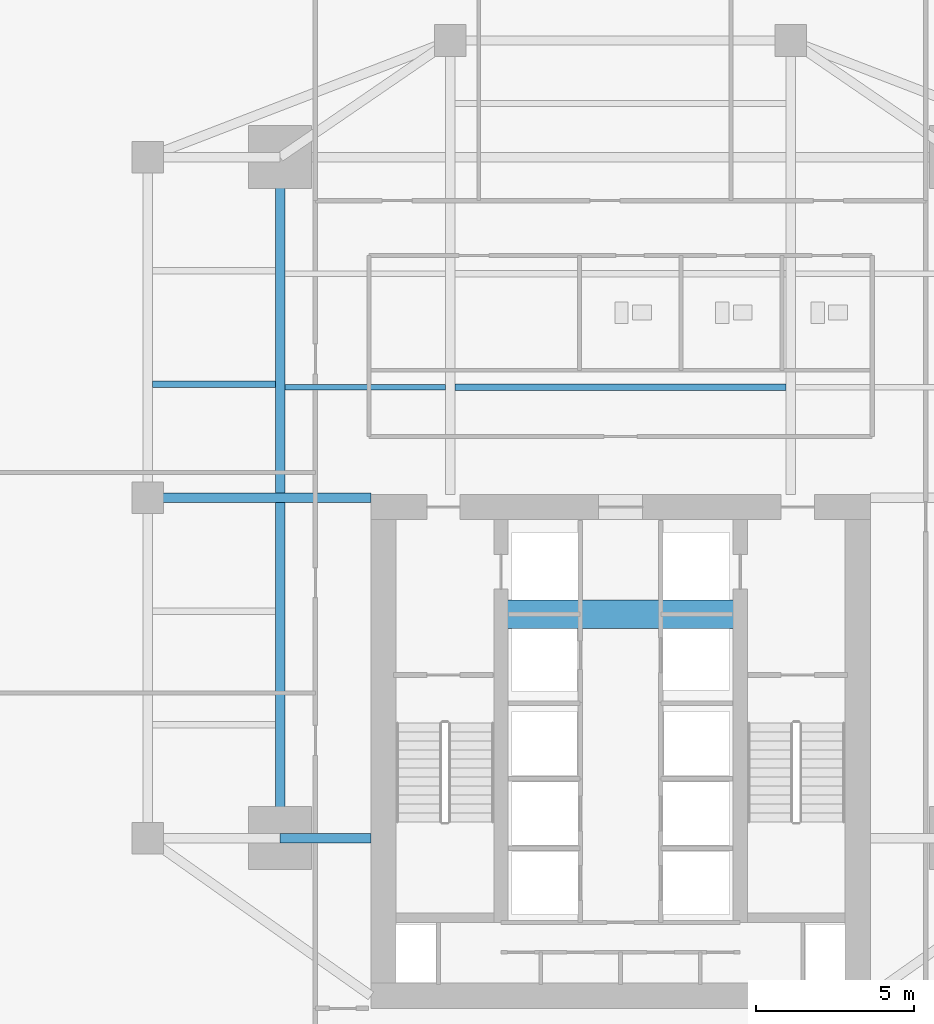
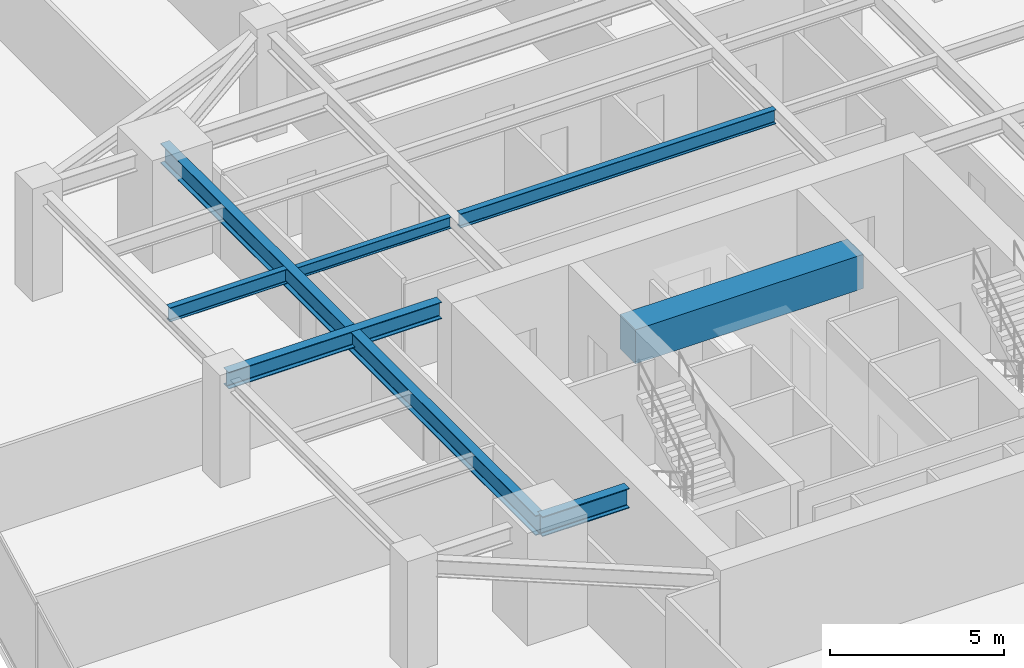
# One storey, part 9 of 26: 7 beams.
"""IFC4 building model written with IfcOpenShell, lengths in metres."""

from ifc_helpers import new_model, si_unit, direction, frame, origin, origin_2d, place, context, subcontext, project, spatial, rectangle, i_section, extrude, source, transform, mapped, material, material_profile, profile_set, type_object, type_shapes, element, save


model = new_model("IFC4")

# Units and contexts
model_context = context("Model", 3, precision=1e-05, world=origin(), true_north=direction((0.0, 1.0)))
body_context = subcontext(model_context, "Body", "Model", "MODEL_VIEW")
ifc_project = project(units=[si_unit("LENGTHUNIT", "METRE"), si_unit("AREAUNIT", "SQUARE_METRE"), si_unit("VOLUMEUNIT", "CUBIC_METRE"), si_unit("PLANEANGLEUNIT", "RADIAN"), si_unit("MASSUNIT", "GRAM", prefix="KILO")], contexts=[model_context])

# Site, building, storey
site_placement = place(None, origin())
site = spatial("IfcSite", under=ifc_project, at=site_placement, CompositionType="ELEMENT")
building_placement = place(site_placement, origin())
building = spatial("IfcBuilding", under=site, at=building_placement, Name="Krantzveldt Concourse Tower", CompositionType="ELEMENT")
storey_placement = place(building_placement, frame((0.0, 0.0, 94.0)))
storey = spatial("IfcBuildingStorey", under=building, at=storey_placement, Name="L22", CompositionType="ELEMENT", Elevation=94.0)

# Beams
ifc_material_1 = material(Name="Concrete C50/60", Category="concrete")
ifc_material_profile_1 = material_profile(ifc_material_1, rectangle(XDim=0.89990234375, YDim=1.199951171875, at=origin_2d()), Name="Concrete C50/60", Category="concrete")
ifc_profile_set_1 = profile_set([ifc_material_profile_1], Name="Concrete C50/60 - RC-CB 900x1200")
beam_type_1 = type_object("IfcBeamType", Name="BM-CB-1200", PredefinedType="LINTEL", material=ifc_profile_set_1)
shared_shape_1 = source(origin(), body_context, "Body", "SweptSolid", [
    extrude(rectangle(XDim=0.89990234375, YDim=1.199951171875, at=origin_2d()), origin(), (0.0, 0.0, 1.0), 7.580078125),
])
type_shapes(beam_type_1, [shared_shape_1])
beam_1_placement = place(storey_placement, frame((32.2099609375, 23.0, 3.070068359375), z_axis=(1.0, 0.0, 0.0), x_axis=(0.0, 1.0, 0.0)))
element("IfcBeam", 1, at=beam_1_placement, inside=storey, type_object=beam_type_1, Name="CB-L22-01", PredefinedType="LINTEL", context=body_context, shape_type="MappedRepresentation", body=[
    mapped(shared_shape_1, transform((0.0, 0.0, 0.0), x_axis=(1.0, 0.0, 0.0), y_axis=(0.0, 1.0, 0.0), z_axis=(0.0, 0.0, 1.0), scale=1.0)),
])
ifc_material_2 = material(Name="Steel S355J2", Category="steel")
ifc_material_profile_2 = material_profile(ifc_material_2, i_section(OverallWidth=0.300048828125, OverallDepth=0.699951171875, WebThickness=0.01708984375, FlangeThickness=0.031982421875, FilletRadius=0.027099609375, at=origin_2d()), Name="Steel S355J2", Category="steel")
ifc_profile_set_2 = profile_set([ifc_material_profile_2], Name="Steel S355J2 - HEB 700")
beam_type_2 = type_object("IfcBeamType", Name="BM-B-HEB700", PredefinedType="BEAM", material=ifc_profile_set_2)
shared_shape_2 = source(origin(), body_context, "Body", "SweptSolid", [
    extrude(i_section(OverallWidth=0.300048828125, OverallDepth=0.699951171875, WebThickness=0.01708984375, FlangeThickness=0.031982421875, FilletRadius=0.027099609375, at=origin_2d()), origin(), (0.0, 0.0, 1.0), 2.880126953125),
])
beam_2_placement = place(storey_placement, frame((25.199951171875, 15.89990234375, 3.320068359375), z_axis=(1.0, 0.0, 0.0), x_axis=(0.0, 1.0, 0.0)))
element("IfcBeam", 2, at=beam_2_placement, inside=storey, type_object=beam_type_2, Name="L22 Tower Girder BG-CW1", PredefinedType="BEAM", context=body_context, shape_type="MappedRepresentation", body=[
    mapped(shared_shape_2, transform((0.0, 0.0, 0.0), x_axis=(1.0, 0.0, 0.0), y_axis=(0.0, 1.0, 0.0), z_axis=(0.0, 0.0, 1.0), scale=1.0)),
])
shared_shape_3 = source(origin(), body_context, "Body", "SweptSolid", [
    extrude(i_section(OverallWidth=0.300048828125, OverallDepth=0.699951171875, WebThickness=0.01708984375, FlangeThickness=0.031982421875, FilletRadius=0.027099609375, at=origin_2d()), origin(), (0.0, 0.0, 1.0), 21.60009765625),
])
type_shapes(beam_type_2, [shared_shape_2, shared_shape_3])
beam_3_placement = place(storey_placement, frame((25.199951171875, 15.89990234375, 3.320068359375), z_axis=(0.0, 1.0, 0.0), x_axis=(-1.0, 0.0, 0.0)))
element("IfcBeam", 3, at=beam_3_placement, inside=storey, type_object=beam_type_2, Name="L22 Tower Girder BG-MW", PredefinedType="BEAM", context=body_context, shape_type="MappedRepresentation", body=[
    mapped(shared_shape_3, transform((0.0, 0.0, 0.0), x_axis=(1.0, 0.0, 0.0), y_axis=(0.0, 1.0, 0.0), z_axis=(0.0, 0.0, 1.0), scale=1.0)),
])
ifc_material_3 = material(Name="Steel S355JR", Category="steel")
ifc_material_profile_3 = material_profile(ifc_material_3, i_section(OverallWidth=0.300048828125, OverallDepth=0.590087890625, WebThickness=0.012939453125, FlangeThickness=0.02490234375, FilletRadius=0.027099609375, at=origin_2d()), Name="Steel S355JR", Category="steel")
ifc_profile_set_3 = profile_set([ifc_material_profile_3], Name="Steel S355JR - HEA 600")
beam_type_3 = type_object("IfcBeamType", Name="BM-B-HEA600", PredefinedType="BEAM", material=ifc_profile_set_3)
shared_shape_4 = source(origin(), body_context, "Body", "SweptSolid", [
    extrude(i_section(OverallWidth=0.300048828125, OverallDepth=0.590087890625, WebThickness=0.012939453125, FlangeThickness=0.02490234375, FilletRadius=0.027099609375, at=origin_2d()), origin(), (0.0, 0.0, 1.0), 7.080078125),
])
type_shapes(beam_type_3, [shared_shape_4])
beam_4_placement = place(storey_placement, frame((21.0, 26.699951171875, 3.375), z_axis=(1.0, 0.0, 0.0), x_axis=(0.0, 1.0, 0.0)))
element("IfcBeam", 4, at=beam_4_placement, inside=storey, type_object=beam_type_3, Name="L22 Tower Girder BG-CW2", PredefinedType="BEAM", context=body_context, shape_type="MappedRepresentation", body=[
    mapped(shared_shape_4, transform((0.0, 0.0, 0.0), x_axis=(1.0, 0.0, 0.0), y_axis=(0.0, 1.0, 0.0), z_axis=(0.0, 0.0, 1.0), scale=1.0)),
])
ifc_material_profile_4 = material_profile(ifc_material_3, i_section(OverallWidth=0.199951171875, OverallDepth=0.5, WebThickness=0.01025390625, FlangeThickness=0.01611328125, FilletRadius=0.02099609375, at=origin_2d()), Name="Steel S355JR", Category="steel")
ifc_profile_set_4 = profile_set([ifc_material_profile_4], Name="Steel S355JR - IPE 500")
beam_type_4 = type_object("IfcBeamType", Name="BM-J-IPE500", PredefinedType="JOIST", material=ifc_profile_set_4)
shared_shape_5 = source(origin(), body_context, "Body", "SweptSolid", [
    extrude(i_section(OverallWidth=0.199951171875, OverallDepth=0.5, WebThickness=0.01025390625, FlangeThickness=0.01611328125, FilletRadius=0.02099609375, at=origin_2d()), origin(), (0.0, 0.0, 1.0), 10.5),
])
beam_5_placement = place(storey_placement, frame((30.75, 30.199951171875, 3.419921875), z_axis=(1.0, 0.0, 0.0), x_axis=(0.0, 1.0, 0.0)))
element("IfcBeam", 5, at=beam_5_placement, inside=storey, type_object=beam_type_4, Name="L22 Secondary Floor Joist JN-C1", PredefinedType="JOIST", context=body_context, shape_type="MappedRepresentation", body=[
    mapped(shared_shape_5, transform((0.0, 0.0, 0.0), x_axis=(1.0, 0.0, 0.0), y_axis=(0.0, 1.0, 0.0), z_axis=(0.0, 0.0, 1.0), scale=1.0)),
])
ifc_material_profile_5 = material_profile(ifc_material_3, i_section(OverallWidth=0.179931640625, OverallDepth=0.39990234375, WebThickness=0.008544921875, FlangeThickness=0.013427734375, FilletRadius=0.02099609375, at=origin_2d()), Name="Steel S355JR", Category="steel")
ifc_profile_set_5 = profile_set([ifc_material_profile_5], Name="Steel S355JR - IPE 400")
beam_type_5 = type_object("IfcBeamType", Name="BM-J-IPE400", PredefinedType="JOIST", material=ifc_profile_set_5)
shared_shape_6 = source(origin(), body_context, "Body", "SweptSolid", [
    extrude(i_section(OverallWidth=0.179931640625, OverallDepth=0.39990234375, WebThickness=0.008544921875, FlangeThickness=0.013427734375, FilletRadius=0.02099609375, at=origin_2d()), origin(), (0.0, 0.0, 1.0), 5.099853515625),
])
type_shapes(beam_type_5, [shared_shape_6])
beam_6_placement = place(storey_placement, frame((25.35009765625, 30.199951171875, 3.469970703125), z_axis=(1.0, 0.0, 0.0), x_axis=(0.0, 1.0, 0.0)))
element("IfcBeam", 6, at=beam_6_placement, inside=storey, type_object=beam_type_5, Name="L22 Secondary Floor Joist JN-W1", PredefinedType="JOIST", context=body_context, shape_type="MappedRepresentation", body=[
    mapped(shared_shape_6, transform((0.0, 0.0, 0.0), x_axis=(1.0, 0.0, 0.0), y_axis=(0.0, 1.0, 0.0), z_axis=(0.0, 0.0, 1.0), scale=1.0)),
])
shared_shape_7 = source(origin(), body_context, "Body", "SweptSolid", [
    extrude(i_section(OverallWidth=0.199951171875, OverallDepth=0.5, WebThickness=0.01025390625, FlangeThickness=0.01611328125, FilletRadius=0.02099609375, at=origin_2d()), origin(), (0.0, 0.0, 1.0), 3.900146484375),
])
type_shapes(beam_type_4, [shared_shape_5, shared_shape_7])
beam_7_placement = place(storey_placement, frame((21.14990234375, 30.300048828125, 3.419921875), z_axis=(1.0, 0.0, 0.0), x_axis=(0.0, 1.0, 0.0)))
element("IfcBeam", 7, at=beam_7_placement, inside=storey, type_object=beam_type_4, Name="L22 Secondary Floor Joist JW-3", PredefinedType="JOIST", context=body_context, shape_type="MappedRepresentation", body=[
    mapped(shared_shape_7, transform((0.0, 0.0, 0.0), x_axis=(1.0, 0.0, 0.0), y_axis=(0.0, 1.0, 0.0), z_axis=(0.0, 0.0, 1.0), scale=1.0)),
])

save(model, "model.ifc")
